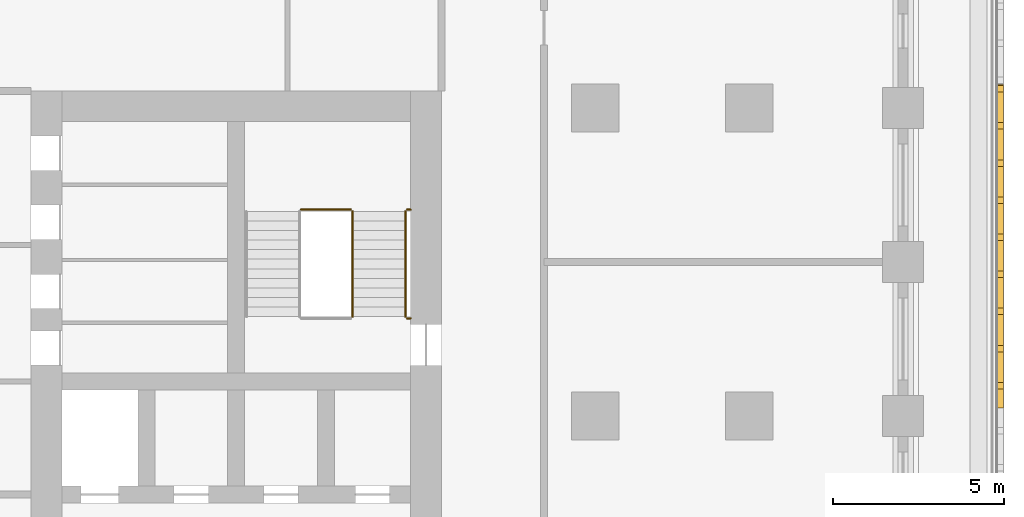
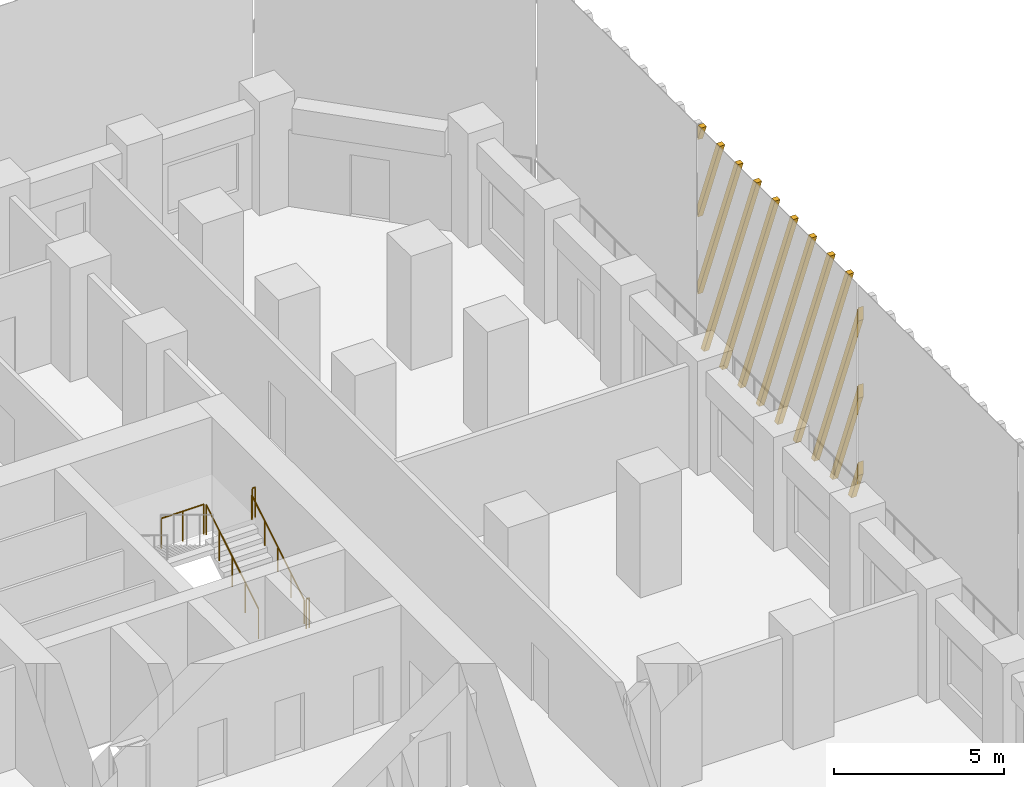
# One storey, part 17 of 19: 5 railings, 1 shading device.
"""IFC4 building model written with IfcOpenShell, lengths in metres."""

import ifcopenshell
import ifcopenshell.guid

model = None  # the IFC model being written
_history = None  # IfcOwnerHistory: only IFC2X3 demands one
_inside = {}  # id of a spatial element -> (the spatial element, [elements in it])
_under = {}  # id of a project, library or spatial element -> (it, [spatial elements below it])
_declared = {}  # id of a project -> (the project, [libraries it declares])
_typed = {}  # id of a type object -> (the type object, [elements of that type])
_made_of = {}  # id of a material, layer set ... -> (it, [elements and type objects made of it])


def new_model(schema):
    """Start an empty IFC model of exactly this schema.

    Asked for "IFC4X3", IfcOpenShell would pick the latest addendum, in which some entities
    have other attributes; the version numbers below select the first issue.
    IFC2X3 requires an IfcOwnerHistory on every rooted entity: one is made here for all.
    """
    global model, _history
    if schema == "IFC4X3":
        model = ifcopenshell.file(schema_version=(4, 3, 0, 0))
    else:
        model = ifcopenshell.file(schema=schema)
    _inside.clear()
    _under.clear()
    _declared.clear()
    _typed.clear()
    _made_of.clear()
    _history = None
    if model.schema == "IFC2X3":
        org = make("IfcOrganization", Name="unknown")
        user = make(
            "IfcPersonAndOrganization",
            ThePerson=make("IfcPerson", FamilyName="unknown"),
            TheOrganization=org,
        )
        app = make(
            "IfcApplication",
            ApplicationDeveloper=org,
            Version="unknown",
            ApplicationFullName="unknown",
            ApplicationIdentifier="unknown",
        )
        _history = make(
            "IfcOwnerHistory",
            OwningUser=user,
            OwningApplication=app,
            ChangeAction="ADDED",
            CreationDate=0,
        )
    return model


def make(cls, **values):
    """One entity of the class cls with the attributes given. An attribute that is None is left unset."""
    return model.create_entity(
        cls, **{name: value for name, value in values.items() if value is not None}
    )


def rooted(cls, **values):
    """An entity with a GlobalId (a new one), such as an element, a storey or a relation."""
    return make(cls, GlobalId=ifcopenshell.guid.new(), OwnerHistory=_history, **values)


def si_unit(unit_type, name, prefix=None):
    """IfcSIUnit, for example si_unit("LENGTHUNIT", "METRE", prefix="MILLI")."""
    return make("IfcSIUnit", UnitType=unit_type, Prefix=prefix, Name=name)


def assignment(units):
    """IfcUnitAssignment: the units of a project."""
    return None if units is None else make("IfcUnitAssignment", Units=units)


def point(xyz):
    """IfcCartesianPoint."""
    return None if xyz is None else make("IfcCartesianPoint", Coordinates=xyz)


def direction(xyz):
    """IfcDirection."""
    return None if xyz is None else make("IfcDirection", DirectionRatios=xyz)


def frame(location, z_axis=None, x_axis=None):
    """IfcAxis2Placement3D, a coordinate frame: its origin and axes. An axis left out is left unset."""
    return make(
        "IfcAxis2Placement3D",
        Location=point(location),
        Axis=direction(z_axis),
        RefDirection=direction(x_axis),
    )


def frame_2d(location, x_axis=None):
    """IfcAxis2Placement2D, a coordinate frame in the plane: its origin and x axis."""
    return make(
        "IfcAxis2Placement2D", Location=point(location), RefDirection=direction(x_axis)
    )


def origin():
    """The frame at (0, 0, 0) with its axes left unset."""
    return frame((0.0, 0.0, 0.0))


def origin_2d():
    """The frame at (0, 0) in the plane with its x axis left unset."""
    return frame_2d((0.0, 0.0))


def place(relative_to, where):
    """IfcLocalPlacement: puts the frame where relative to a parent placement (None: the world)."""
    return make(
        "IfcLocalPlacement", PlacementRelTo=relative_to, RelativePlacement=where
    )


def context(
    kind, dimensions, precision=None, world=None, true_north=None, identifier=None
):
    """IfcGeometricRepresentationContext, for example the 3D "Model" context."""
    return make(
        "IfcGeometricRepresentationContext",
        ContextIdentifier=identifier,
        ContextType=kind,
        CoordinateSpaceDimension=dimensions,
        Precision=precision,
        WorldCoordinateSystem=world,
        TrueNorth=true_north,
    )


def subcontext(parent, identifier, kind, view, scale=None):
    """IfcGeometricRepresentationSubContext, for example "Body" below "Model"."""
    return make(
        "IfcGeometricRepresentationSubContext",
        ContextIdentifier=identifier,
        ContextType=kind,
        ParentContext=parent,
        TargetScale=scale,
        TargetView=view,
    )


def project(units=None, contexts=None):
    """IfcProject with its units and contexts."""
    return rooted(
        "IfcProject",
        Name="project",
        RepresentationContexts=contexts,
        UnitsInContext=assignment(units),
    )


def spatial(cls, under=None, at=None, **own):
    """A site, building, storey or space (cls), placed at a placement, below another one or the project."""
    s = rooted(cls, ObjectPlacement=at, **own)
    if under is not None:
        _under.setdefault(under.id(), (under, []))[1].append(s)
    return s


def polyline(points):
    """IfcPolyline through the points."""
    return make("IfcPolyline", Points=[point(p) for p in points])


def profile(cls, at=None, kind="AREA", **sizes):
    """A parametric profile (cls). Its sizes go by their IFC names, for example OverallWidth=200.0."""
    return make(cls, ProfileType=kind, Position=at, **sizes)


def circle(**sizes):
    """IfcCircleProfileDef."""
    return profile("IfcCircleProfileDef", **sizes)


def outline(outer, holes=None, kind="AREA"):
    """IfcArbitraryClosedProfileDef: a profile drawn as a closed curve; with holes, ...WithVoids."""
    if holes is None:
        return make("IfcArbitraryClosedProfileDef", ProfileType=kind, OuterCurve=outer)
    return make(
        "IfcArbitraryProfileDefWithVoids",
        ProfileType=kind,
        OuterCurve=outer,
        InnerCurves=holes,
    )


def extrude(swept, where, along, depth):
    """IfcExtrudedAreaSolid: the profile swept, set in the frame where, extruded along a direction by depth."""
    return make(
        "IfcExtrudedAreaSolid",
        SweptArea=swept,
        Position=where,
        ExtrudedDirection=direction(along),
        Depth=depth,
    )


def shape(context_of_items, identifier, shape_type, items):
    """IfcShapeRepresentation: the items that make up one representation, for example the "Body"."""
    return make(
        "IfcShapeRepresentation",
        ContextOfItems=context_of_items,
        RepresentationIdentifier=identifier,
        RepresentationType=shape_type,
        Items=items,
    )


def source(mapping_origin, context_of_items, identifier, shape_type, items):
    """IfcRepresentationMap: a shape defined once, which mapped items show again and again."""
    return make(
        "IfcRepresentationMap",
        MappingOrigin=mapping_origin,
        MappedRepresentation=shape(context_of_items, identifier, shape_type, items),
    )


def transform(
    local_origin,
    x_axis=None,
    y_axis=None,
    z_axis=None,
    scale=None,
    scale2=None,
    scale3=None,
    uniform=True,
):
    """IfcCartesianTransformationOperator3D, or its non-uniform kind. x_axis, y_axis, z_axis: its Axis1, 2, 3."""
    if uniform:
        return make(
            "IfcCartesianTransformationOperator3D",
            Axis1=direction(x_axis),
            Axis2=direction(y_axis),
            LocalOrigin=point(local_origin),
            Scale=scale,
            Axis3=direction(z_axis),
        )
    return make(
        "IfcCartesianTransformationOperator3DnonUniform",
        Axis1=direction(x_axis),
        Axis2=direction(y_axis),
        LocalOrigin=point(local_origin),
        Scale=scale,
        Axis3=direction(z_axis),
        Scale2=scale2,
        Scale3=scale3,
    )


def mapped(mapping_source, mapping_target):
    """IfcMappedItem: shows the shape of a source again, moved by a transform."""
    return make(
        "IfcMappedItem", MappingSource=mapping_source, MappingTarget=mapping_target
    )


def material(Name=None, Category=None):
    """IfcMaterial."""
    return make("IfcMaterial", Name=Name, Category=Category)


def made_of(thing, what):
    """Note that an element or type object is made of a material, layer set ...; save() writes the relation."""
    if what is not None:
        _made_of.setdefault(what.id(), (what, []))[1].append(thing)
    return thing


def type_object(cls, material=None, **own):
    """A type object (cls), such as IfcWallType, which elements share."""
    return made_of(rooted(cls, **own), material)


def element(
    cls,
    number,
    at=None,
    inside=None,
    cuts=None,
    type_object=None,
    material=None,
    context=None,
    identifier="Body",
    shape_type=None,
    held_by="IfcProductDefinitionShape",
    body=None,
    shapes=None,
    **own,
):
    """One element of the class cls, such as IfcWall. Its Tag is "e" and its number.

    at: its placement. inside: the storey or other place that contains it. cuts: it is an
    opening in that element (IfcRelVoidsElement). A single representation is given by context,
    identifier, shape_type and body (its items); several are given by shapes. held_by: the class
    of the entity that holds the representations. save() writes the other relations.
    """
    e = rooted(cls, Tag="e%d" % number, ObjectPlacement=at, **own)
    if body is not None:
        shapes = [shape(context, identifier, shape_type, body)]
    if shapes is not None:
        e.Representation = make(held_by, Representations=shapes)
    if inside is not None:
        _inside.setdefault(inside.id(), (inside, []))[1].append(e)
    if cuts is not None:
        rooted(
            "IfcRelVoidsElement", RelatingBuildingElement=cuts, RelatedOpeningElement=e
        )
    if type_object is not None:
        _typed.setdefault(type_object.id(), (type_object, []))[1].append(e)
    return made_of(e, material)


def aggregate(whole, parts):
    """IfcRelAggregates: a whole, such as a stair, and the parts it consists of."""
    return rooted("IfcRelAggregates", RelatingObject=whole, RelatedObjects=parts)


def save(model, path):
    """Write the relations noted so far, then the file.

    IfcRelAggregates (storeys below a building ...), IfcRelContainedInSpatialStructure (elements
    in a storey), IfcRelDefinesByType, IfcRelAssociatesMaterial and IfcRelDeclares: one each for
    every whole, place, type object, material and project.
    """
    for whole, parts in _under.values():
        aggregate(whole, parts)
    for where, things in _inside.values():
        rooted(
            "IfcRelContainedInSpatialStructure",
            RelatedElements=things,
            RelatingStructure=where,
        )
    for kind, things in _typed.values():
        rooted("IfcRelDefinesByType", RelatedObjects=things, RelatingType=kind)
    for what, things in _made_of.values():
        rooted("IfcRelAssociatesMaterial", RelatedObjects=things, RelatingMaterial=what)
    for by, libraries in _declared.values():
        rooted("IfcRelDeclares", RelatingContext=by, RelatedDefinitions=libraries)
    model.write(path)


model = new_model("IFC4")

# Units and contexts
model_context = context("Model", 3, precision=1e-05, world=origin(), true_north=direction((0.0, 1.0)))
body_context = subcontext(model_context, "Body", "Model", "MODEL_VIEW")
ifc_project = project(units=[si_unit("LENGTHUNIT", "METRE"), si_unit("AREAUNIT", "SQUARE_METRE"), si_unit("VOLUMEUNIT", "CUBIC_METRE"), si_unit("PLANEANGLEUNIT", "RADIAN"), si_unit("MASSUNIT", "GRAM", prefix="KILO")], contexts=[model_context])

# Site, building, storey
site_placement = place(None, origin())
site = spatial("IfcSite", under=ifc_project, at=site_placement, CompositionType="ELEMENT")
building_placement = place(site_placement, origin())
building = spatial("IfcBuilding", under=site, at=building_placement, Name="Corbel Stack Research Tower", CompositionType="ELEMENT")
storey_placement = place(building_placement, frame((0.0, 0.0, 82.0)))
storey = spatial("IfcBuildingStorey", under=building, at=storey_placement, Name="L18", CompositionType="ELEMENT", Elevation=82.0)

# Railings
ifc_material_1 = material(Name="Steel S355", Category="steel")
railing_type_1 = type_object("IfcRailingType", Name="Stair guard 1100", PredefinedType="GUARDRAIL", material=ifc_material_1)
railing_1_placement = place(storey_placement, frame((15.39990234375, 11.89990234375, 0.1708984375)))
element("IfcRailing", 1, at=railing_1_placement, inside=storey, type_object=railing_type_1, Name="L18 ST-E2 stair guard 1", PredefinedType="GUARDRAIL", context=body_context, shape_type="SweptSolid", body=[
    extrude(circle(Radius=0.02392578125, at=origin_2d()), frame((0.0, 0.0, 1.076171875), z_axis=(0.0, 0.853666305674, 0.52082035152), x_axis=(-1.0, 0.0, 0.0)), (0.0, 0.0, 1.0), 3.608154296875),
    extrude(circle(Radius=0.02099609375, at=origin_2d()), origin(), (0.0, 0.0, 1.0), 1.052001953125),
    extrude(circle(Radius=0.02099609375, at=origin_2d()), frame((0.0, 0.77001953125, 0.4697265625)), (0.0, 0.0, 1.0), 1.052001953125),
    extrude(circle(Radius=0.02099609375, at=origin_2d()), frame((0.0, 1.5400390625, 0.939453125)), (0.0, 0.0, 1.0), 1.052001953125),
    extrude(circle(Radius=0.02099609375, at=origin_2d()), frame((0.0, 2.31005859375, 1.409423828125)), (0.0, 0.0, 1.0), 1.052001953125),
    extrude(circle(Radius=0.02099609375, at=origin_2d()), frame((0.0, 3.080078125, 1.879150390625)), (0.0, 0.0, 1.0), 1.052001953125),
])
railing_2_placement = place(storey_placement, frame((15.35009765625, 15.030029296875, 2.050048828125)))
element("IfcRailing", 2, at=railing_2_placement, inside=storey, type_object=railing_type_1, Name="L18 ST-E2 stair guard 2", PredefinedType="GUARDRAIL", context=body_context, shape_type="SweptSolid", body=[
    extrude(circle(Radius=0.02392578125, at=origin_2d()), frame((0.0, 0.0, 1.076171875), z_axis=(-1.0, 0.0, 0.0), x_axis=(0.0, -1.0, 0.0)), (0.0, 0.0, 1.0), 1.4501953125),
    extrude(circle(Radius=0.02099609375, at=origin_2d()), origin(), (0.0, 0.0, 1.0), 1.052001953125),
    extrude(circle(Radius=0.02099609375, at=origin_2d()), frame((-0.72509765625, 0.0, 0.0)), (0.0, 0.0, 1.0), 1.052001953125),
    extrude(circle(Radius=0.02099609375, at=origin_2d()), frame((-1.4501953125, 0.0, 0.0)), (0.0, 0.0, 1.0), 1.052001953125),
])
for number, where, name in (
    (3, (17.10009765625, 15.030029296875, 2.050048828125), "L18 ST-E2 stair guard 3"),
    (4, (17.10009765625, 11.85009765625, 0.0), "L18 ST-E2 stair guard 6"),
):
    element("IfcRailing", number, at=place(storey_placement, frame(where)), inside=storey, type_object=railing_type_1, Name=name, PredefinedType="GUARDRAIL", context=body_context, shape_type="SweptSolid", body=[
        extrude(circle(Radius=0.02392578125, at=origin_2d()), frame((0.0, 0.0, 1.076171875), z_axis=(-1.0, 0.0, 0.0), x_axis=(0.0, -1.0, 0.0)), (0.0, 0.0, 1.0), 0.10009765625),
        extrude(circle(Radius=0.02099609375, at=origin_2d()), origin(), (0.0, 0.0, 1.0), 1.052001953125),
        extrude(circle(Radius=0.02099609375, at=origin_2d()), frame((-0.10009765625, 0.0, 0.0)), (0.0, 0.0, 1.0), 1.052001953125),
    ])
ifc_material_2 = material(Name="Steel S355", Category="steel")
railing_type_2 = type_object("IfcRailingType", Name="Stair handrail 900", PredefinedType="HANDRAIL", material=ifc_material_2)
railing_3_placement = place(storey_placement, frame((16.949951171875, 11.89990234375, 0.1708984375)))
element("IfcRailing", 5, at=railing_3_placement, inside=storey, type_object=railing_type_2, Name="L18 ST-E2 stair handrail 1", PredefinedType="HANDRAIL", context=body_context, shape_type="SweptSolid", body=[
    extrude(circle(Radius=0.02392578125, at=origin_2d()), frame((0.0, 0.0, 0.8759765625), z_axis=(0.0, 0.853666305674, 0.52082035152), x_axis=(-1.0, 0.0, 0.0)), (0.0, 0.0, 1.0), 3.608154296875),
    extrude(circle(Radius=0.02099609375, at=origin_2d()), origin(), (0.0, 0.0, 1.0), 0.851806640625),
    extrude(circle(Radius=0.02099609375, at=origin_2d()), frame((0.0, 0.77001953125, 0.4697265625)), (0.0, 0.0, 1.0), 0.851806640625),
    extrude(circle(Radius=0.02099609375, at=origin_2d()), frame((0.0, 1.5400390625, 0.939453125)), (0.0, 0.0, 1.0), 0.851806640625),
    extrude(circle(Radius=0.02099609375, at=origin_2d()), frame((0.0, 2.31005859375, 1.409423828125)), (0.0, 0.0, 1.0), 0.851806640625),
    extrude(circle(Radius=0.02099609375, at=origin_2d()), frame((0.0, 3.080078125, 1.879150390625)), (0.0, 0.0, 1.0), 0.851806640625),
])

# Shading device
ifc_material_3 = material(Name="Precast terracotta", Category="masonry")
shading_device_type = type_object("IfcShadingDeviceType", Name="Terracotta screen panel", PredefinedType="USERDEFINED", material=ifc_material_3)
shared_shape = source(origin(), body_context, "Body", "SweptSolid", [
    extrude(outline(polyline([(0.60205078125, 0.0), (0.0, 1.541748046875), (0.0, 1.055419921875), (0.412109375, 0.0), (0.60205078125, 0.0)])), frame((0.0, 0.0, 0.0), z_axis=(0.0, -1.0, 0.0), x_axis=(1.0, 0.0, 0.0)), (0.0, 0.0, 1.0), 0.179931640625),
    extrude(outline(polyline([(1.686767578125, 0.0), (0.0, 4.319091796875), (0.0, 3.83251953125), (1.496826171875, 0.0), (1.686767578125, 0.0)])), frame((0.0, 0.0, 0.0), z_axis=(0.0, -1.0, 0.0), x_axis=(1.0, 0.0, 0.0)), (0.0, 0.0, 1.0), 0.179931640625),
    extrude(outline(polyline([(2.771484375, 0.0), (0.0, 7.096435546875), (0.0, 6.60986328125), (2.58154296875, 0.0), (2.771484375, 0.0)])), frame((0.0, 0.0, 0.0), z_axis=(0.0, -1.0, 0.0), x_axis=(1.0, 0.0, 0.0)), (0.0, 0.0, 1.0), 0.179931640625),
    extrude(outline(polyline([(3.856201171875, 0.0), (0.751220703125, 7.949951171875), (0.561279296875, 7.949951171875), (3.666015625, 0.0), (3.856201171875, 0.0)])), frame((0.0, 0.0, 0.0), z_axis=(0.0, -1.0, 0.0), x_axis=(1.0, 0.0, 0.0)), (0.0, 0.0, 1.0), 0.179931640625),
    extrude(outline(polyline([(4.94091796875, 0.0), (1.8359375, 7.949951171875), (1.64599609375, 7.949951171875), (4.750732421875, 0.0), (4.94091796875, 0.0)])), frame((0.0, 0.0, 0.0), z_axis=(0.0, -1.0, 0.0), x_axis=(1.0, 0.0, 0.0)), (0.0, 0.0, 1.0), 0.179931640625),
    extrude(outline(polyline([(6.025390625, 0.0), (2.920654296875, 7.949951171875), (2.730712890625, 7.949951171875), (5.83544921875, 0.0), (6.025390625, 0.0)])), frame((0.0, 0.0, 0.0), z_axis=(0.0, -1.0, 0.0), x_axis=(1.0, 0.0, 0.0)), (0.0, 0.0, 1.0), 0.179931640625),
    extrude(outline(polyline([(7.110107421875, 0.0), (4.00537109375, 7.949951171875), (3.815185546875, 7.949951171875), (6.920166015625, 0.0), (7.110107421875, 0.0)])), frame((0.0, 0.0, 0.0), z_axis=(0.0, -1.0, 0.0), x_axis=(1.0, 0.0, 0.0)), (0.0, 0.0, 1.0), 0.179931640625),
    extrude(outline(polyline([(8.19482421875, 0.0), (5.090087890625, 7.949951171875), (4.89990234375, 7.949951171875), (8.0048828125, 0.0), (8.19482421875, 0.0)])), frame((0.0, 0.0, 0.0), z_axis=(0.0, -1.0, 0.0), x_axis=(1.0, 0.0, 0.0)), (0.0, 0.0, 1.0), 0.179931640625),
    extrude(outline(polyline([(9.279541015625, 0.0), (6.174560546875, 7.949951171875), (5.984619140625, 7.949951171875), (9.089599609375, 0.0), (9.279541015625, 0.0)])), frame((0.0, 0.0, 0.0), z_axis=(0.0, -1.0, 0.0), x_axis=(1.0, 0.0, 0.0)), (0.0, 0.0, 1.0), 0.179931640625),
    extrude(outline(polyline([(7.25927734375, 7.949951171875), (7.0693359375, 7.949951171875), (9.45556640625, 1.839599609375), (9.45556640625, 2.326171875), (7.25927734375, 7.949951171875)])), frame((0.0, 0.0, 0.0), z_axis=(0.0, -1.0, 0.0), x_axis=(1.0, 0.0, 0.0)), (0.0, 0.0, 1.0), 0.179931640625),
    extrude(outline(polyline([(8.343994140625, 7.949951171875), (8.15380859375, 7.949951171875), (9.45556640625, 4.616943359375), (9.45556640625, 5.103515625), (8.343994140625, 7.949951171875)])), frame((0.0, 0.0, 0.0), z_axis=(0.0, -1.0, 0.0), x_axis=(1.0, 0.0, 0.0)), (0.0, 0.0, 1.0), 0.179931640625),
    extrude(outline(polyline([(9.4287109375, 7.949951171875), (9.238525390625, 7.949951171875), (9.45556640625, 7.394287109375), (9.45556640625, 7.880859375), (9.4287109375, 7.949951171875)])), frame((0.0, 0.0, 0.0), z_axis=(0.0, -1.0, 0.0), x_axis=(1.0, 0.0, 0.0)), (0.0, 0.0, 1.0), 0.179931640625),
])
shading_device_placement = place(storey_placement, frame((34.25, 9.227783203125, 0.0), z_axis=(0.0, 0.0, 1.0), x_axis=(0.0, 1.0, 0.0)))
element("IfcShadingDevice", 6, at=shading_device_placement, inside=storey, type_object=shading_device_type, Name="Terracotta screen L18 E4", ObjectType="SCREEN", PredefinedType="USERDEFINED", context=body_context, shape_type="MappedRepresentation", body=[
    mapped(shared_shape, transform((0.0, 0.0, 0.0))),
])

save(model, "model.ifc")
